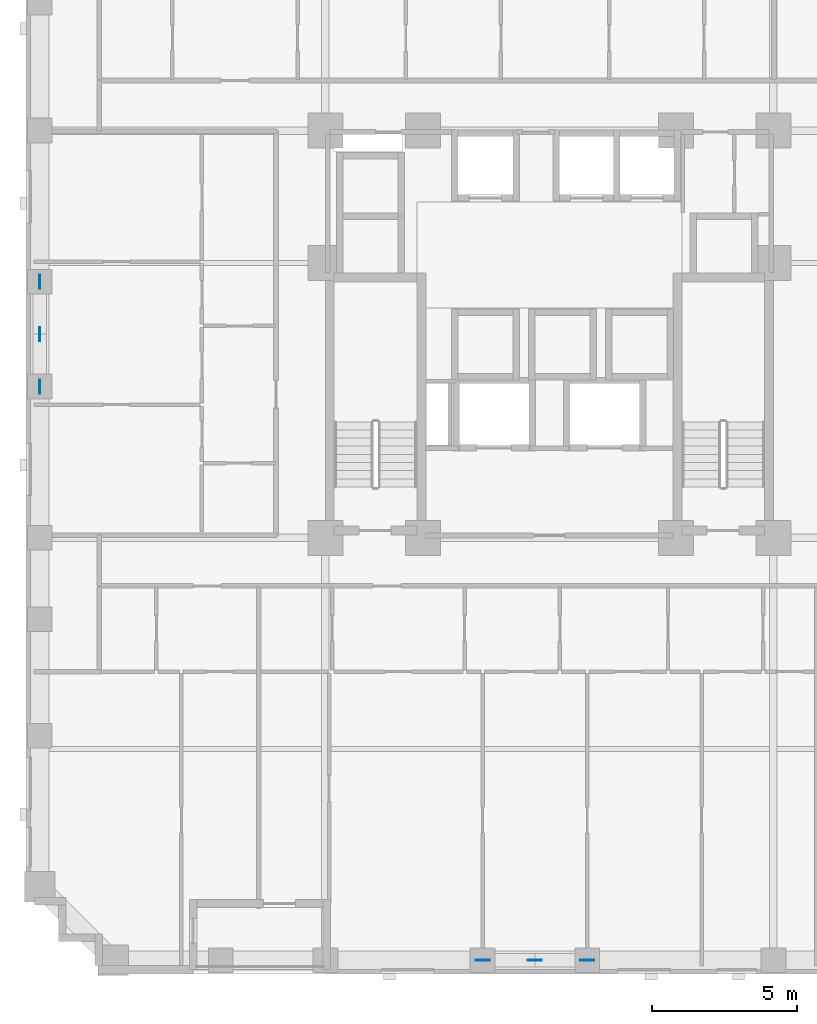
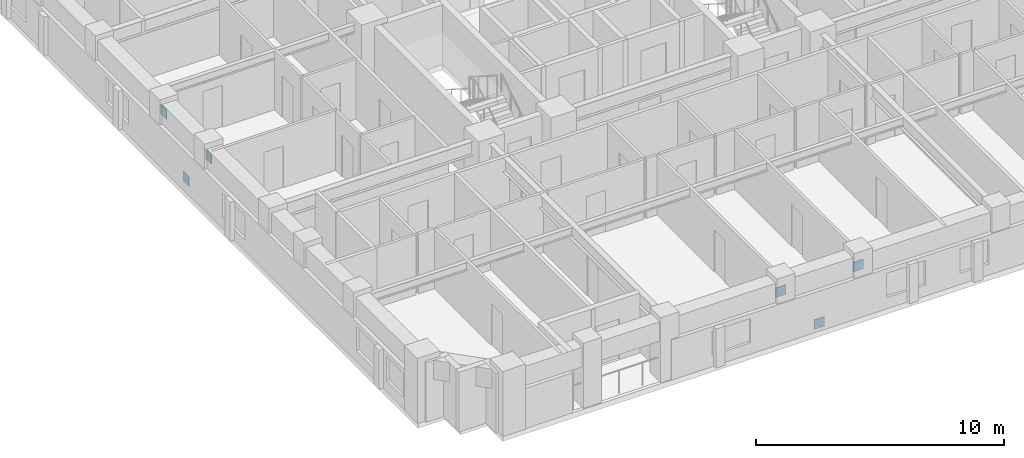
# One storey, part 10 of 14: 6 discrete accessories.
"""IFC4 building model written with IfcOpenShell, lengths in metres."""

from ifc_helpers import new_model, si_unit, derived_unit, direction, frame, origin, origin_2d, place, context, subcontext, project, spatial, rectangle, extrude, material, layer, layer_set, type_object, element, save


model = new_model("IFC4")

# Units and contexts
model_context = context("Model", 3, precision=1e-05, world=origin(), true_north=direction((0.0, 1.0)))
body_context = subcontext(model_context, "Body", "Model", "MODEL_VIEW")
ifc_project = project(units=[si_unit("LENGTHUNIT", "METRE"), si_unit("AREAUNIT", "SQUARE_METRE"), si_unit("VOLUMEUNIT", "CUBIC_METRE"), si_unit("PLANEANGLEUNIT", "RADIAN"), si_unit("MASSUNIT", "GRAM", prefix="KILO"), derived_unit("THERMALTRANSMITTANCEUNIT", [(si_unit("MASSUNIT", "GRAM", prefix="KILO"), 1), (si_unit("TIMEUNIT", "SECOND"), -3), (si_unit("THERMODYNAMICTEMPERATUREUNIT", "KELVIN"), -1)])], contexts=[model_context])

# Site, building, storey
site_placement = place(None, origin())
site = spatial("IfcSite", under=ifc_project, at=site_placement, CompositionType="ELEMENT")
building_placement = place(site_placement, origin())
building = spatial("IfcBuilding", under=site, at=building_placement, Name="Korrvale Station Residences", CompositionType="ELEMENT")
storey_placement = place(building_placement, frame((0.0, 0.0, 51.39990234375)))
storey = spatial("IfcBuildingStorey", under=building, at=storey_placement, Name="L13", CompositionType="ELEMENT", Elevation=51.39990234375)

# Discrete accessories
ifc_material = material(Name="Steel S355", Category="steel")
ifc_layer = layer(ifc_material, 0.02490234375, Name="Steel S355")
ifc_layer_set = layer_set([ifc_layer], Name="Steel S355")
discrete_accessory_type = type_object("IfcDiscreteAccessoryType", Name="ACC-GUSSET-25", PredefinedType="BRACKET", material=ifc_layer_set)
for number, where, z_axis, x_axis, name in (
    (1, (25.0, 0.47998046875, -0.219970703125), (0.0, 0.0, 1.0), (1.0, 0.0, 0.0), "L13 S Brace End Gusset Connection M"),
    (2, (23.199951171875, 0.47998046875, 1.97021484375), (0.0, 0.0, 1.0), (1.0, 0.0, 0.0), "L13 S Brace End Gusset Connection A"),
    (3, (26.800048828125, 0.47998046875, 1.97021484375), (0.0, 0.0, 1.0), (1.0, 0.0, 0.0), "L13 S Brace End Gusset Connection B"),
    (4, (7.97998046875, 22.0, -0.219970703125), (0.0, 0.0, 1.0), (0.0, 1.0, 0.0), "L13 W Brace End Gusset Connection M"),
    (5, (7.97998046875, 20.199951171875, 1.97021484375), (0.0, 0.0, 1.0), (0.0, 1.0, 0.0), "L13 W Brace End Gusset Connection A"),
    (6, (7.97998046875, 23.800048828125, 1.97021484375), (0.0, 0.0, 1.0), (0.0, 1.0, 0.0), "L13 W Brace End Gusset Connection B"),
):
    element("IfcDiscreteAccessory", number, at=place(storey_placement, frame(where, z_axis=z_axis, x_axis=x_axis)), inside=storey, type_object=discrete_accessory_type, Name=name, PredefinedType="BRACKET", context=body_context, shape_type="SweptSolid", body=[
        extrude(rectangle(XDim=0.47998046875, YDim=0.02490234375, at=origin_2d()), origin(), (0.0, 0.0, 1.0), 0.47998046875),
    ])

save(model, "model.ifc")
